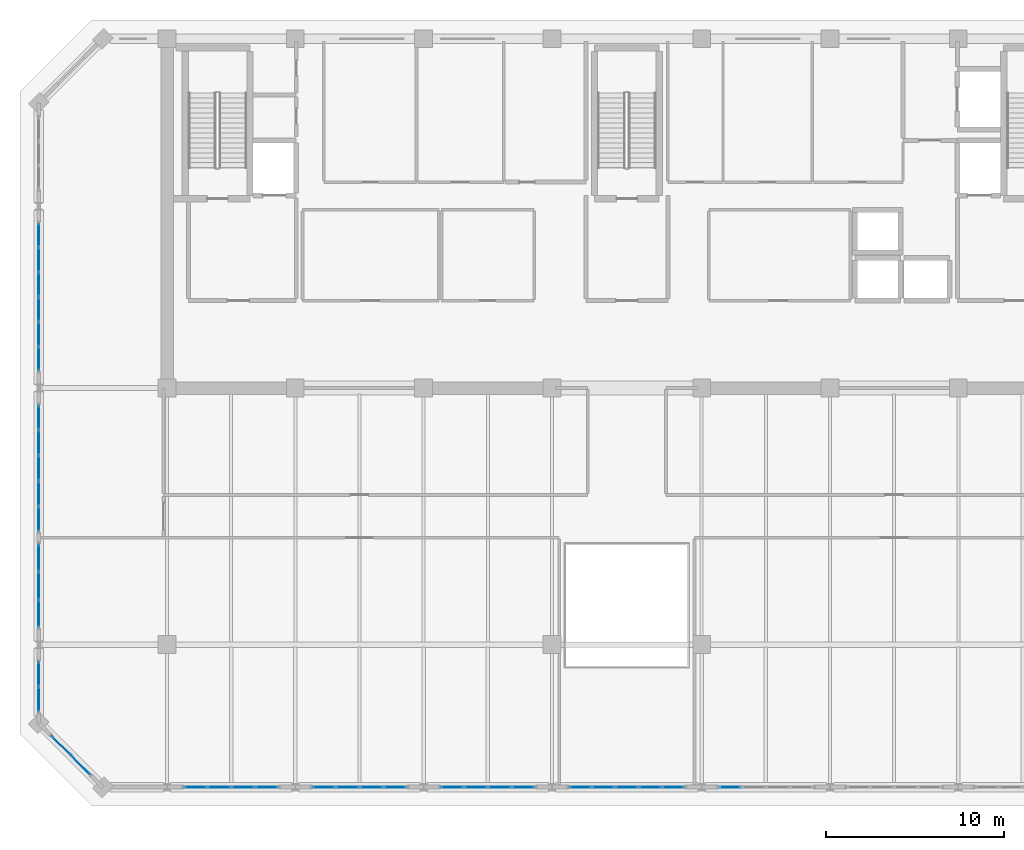
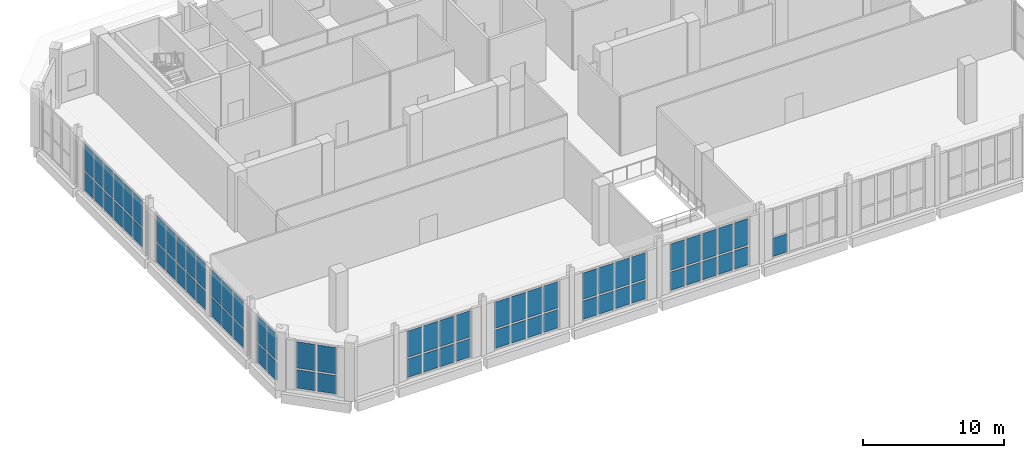
# One storey, part 17 of 26: 71 plates, 10 elements without a shape of their own.
"""IFC4 building model written with IfcOpenShell, lengths in metres."""

from ifc_helpers import new_model, si_unit, direction, frame, origin, origin_2d, place, context, subcontext, project, spatial, rectangle, extrude, material, layer, layer_set, type_object, element, aggregate, save


model = new_model("IFC4")

# Units and contexts
model_context = context("Model", 3, precision=1e-05, world=origin(), true_north=direction((0.0, 1.0)))
body_context = subcontext(model_context, "Body", "Model", "MODEL_VIEW")
ifc_project = project(units=[si_unit("LENGTHUNIT", "METRE"), si_unit("AREAUNIT", "SQUARE_METRE"), si_unit("VOLUMEUNIT", "CUBIC_METRE"), si_unit("PLANEANGLEUNIT", "RADIAN"), si_unit("MASSUNIT", "GRAM", prefix="KILO")], contexts=[model_context])

# Site, building, storey
site_placement = place(None, origin())
site = spatial("IfcSite", under=ifc_project, at=site_placement, CompositionType="ELEMENT")
building_placement = place(site_placement, origin())
building = spatial("IfcBuilding", under=site, at=building_placement, Name="Kaelvorn Grand Hotel", CompositionType="ELEMENT")
storey_placement = place(building_placement, frame((0.0, 0.0, 300.199951171875)))
storey = spatial("IfcBuildingStorey", under=building, at=storey_placement, Name="L73", CompositionType="ELEMENT", Elevation=300.199951171875)

# Curtain wall, plates
ifc_material_1 = material(Name="Anodised Aluminium", Category="aluminium")
ifc_layer_1 = layer(ifc_material_1, 0.239990234375)
ifc_layer_set_1 = layer_set([ifc_layer_1], Name="Anodised Aluminium")
curtain_wall_type = type_object("IfcCurtainWallType", Name="CW-SYS5", PredefinedType="NOTDEFINED", material=ifc_layer_set_1)
curtain_wall_1_placement = place(storey_placement, origin())
curtain_wall_1 = element("IfcCurtainWall", 1, at=curtain_wall_1_placement, inside=storey, type_object=curtain_wall_type, Name="L73 Unitised Curtain Wall CW5 (CW-L73-S-01)", PredefinedType="NOTDEFINED")
ifc_material_2 = material(Name="Laminated Low-E Glass", Category="glass")
ifc_layer_2 = layer(ifc_material_2, 0.0380859375)
ifc_layer_set_2 = layer_set([ifc_layer_2], Name="Laminated Low-E Glass")
plate_type = type_object("IfcPlateType", Name="CW-SYS5-PAN", PredefinedType="CURTAIN_PANEL", material=ifc_layer_set_2)
plate_1_placement = place(storey_placement, frame((17.81005859375, 7.0, 0.150146484375), z_axis=(0.0, 0.0, 1.0), x_axis=(1.0, 0.0, 0.0)))
plate_1 = element("IfcPlate", 2, at=plate_1_placement, type_object=plate_type, Name="CW5 panel 1.1", PredefinedType="CURTAIN_PANEL", context=body_context, shape_type="SweptSolid", body=[
    extrude(rectangle(XDim=1.219970703125, YDim=0.0380859375, at=origin_2d()), origin(), (0.0, 0.0, 1.0), 1.58935546875),
])
plate_2_placement = place(storey_placement, frame((17.81005859375, 7.0, 1.8896484375), z_axis=(0.0, 0.0, 1.0), x_axis=(1.0, 0.0, 0.0)))
plate_2 = element("IfcPlate", 3, at=plate_2_placement, type_object=plate_type, Name="CW5 panel 1.2", PredefinedType="CURTAIN_PANEL", context=body_context, shape_type="SweptSolid", body=[
    extrude(rectangle(XDim=1.219970703125, YDim=0.0380859375, at=origin_2d()), origin(), (0.0, 0.0, 1.0), 2.280517578125),
])
plate_3_placement = place(storey_placement, frame((19.1298828125, 7.0, 0.150146484375), z_axis=(0.0, 0.0, 1.0), x_axis=(1.0, 0.0, 0.0)))
plate_3 = element("IfcPlate", 4, at=plate_3_placement, type_object=plate_type, Name="CW5 panel 2.1", PredefinedType="CURTAIN_PANEL", context=body_context, shape_type="SweptSolid", body=[
    extrude(rectangle(XDim=1.260009765625, YDim=0.0380859375, at=origin_2d()), origin(), (0.0, 0.0, 1.0), 1.58935546875),
])
plate_4_placement = place(storey_placement, frame((19.1298828125, 7.0, 1.8896484375), z_axis=(0.0, 0.0, 1.0), x_axis=(1.0, 0.0, 0.0)))
plate_4 = element("IfcPlate", 5, at=plate_4_placement, type_object=plate_type, Name="CW5 panel 2.2", PredefinedType="CURTAIN_PANEL", context=body_context, shape_type="SweptSolid", body=[
    extrude(rectangle(XDim=1.260009765625, YDim=0.0380859375, at=origin_2d()), origin(), (0.0, 0.0, 1.0), 2.280517578125),
])
plate_5_placement = place(storey_placement, frame((20.469970703125, 7.0, 0.150146484375), z_axis=(0.0, 0.0, 1.0), x_axis=(1.0, 0.0, 0.0)))
plate_5 = element("IfcPlate", 6, at=plate_5_placement, type_object=plate_type, Name="CW5 panel 3.1", PredefinedType="CURTAIN_PANEL", context=body_context, shape_type="SweptSolid", body=[
    extrude(rectangle(XDim=1.260009765625, YDim=0.0380859375, at=origin_2d()), origin(), (0.0, 0.0, 1.0), 1.58935546875),
])
plate_6_placement = place(storey_placement, frame((20.469970703125, 7.0, 1.8896484375), z_axis=(0.0, 0.0, 1.0), x_axis=(1.0, 0.0, 0.0)))
plate_6 = element("IfcPlate", 7, at=plate_6_placement, type_object=plate_type, Name="CW5 panel 3.2", PredefinedType="CURTAIN_PANEL", context=body_context, shape_type="SweptSolid", body=[
    extrude(rectangle(XDim=1.260009765625, YDim=0.0380859375, at=origin_2d()), origin(), (0.0, 0.0, 1.0), 2.280517578125),
])
plate_7_placement = place(storey_placement, frame((21.7900390625, 7.0, 0.150146484375), z_axis=(0.0, 0.0, 1.0), x_axis=(1.0, 0.0, 0.0)))
plate_7 = element("IfcPlate", 8, at=plate_7_placement, type_object=plate_type, Name="CW5 panel 4.1", PredefinedType="CURTAIN_PANEL", context=body_context, shape_type="SweptSolid", body=[
    extrude(rectangle(XDim=1.219970703125, YDim=0.0380859375, at=origin_2d()), origin(), (0.0, 0.0, 1.0), 1.58935546875),
])
plate_8_placement = place(storey_placement, frame((21.7900390625, 7.0, 1.8896484375), z_axis=(0.0, 0.0, 1.0), x_axis=(1.0, 0.0, 0.0)))
plate_8 = element("IfcPlate", 9, at=plate_8_placement, type_object=plate_type, Name="CW5 panel 4.2", PredefinedType="CURTAIN_PANEL", context=body_context, shape_type="SweptSolid", body=[
    extrude(rectangle(XDim=1.219970703125, YDim=0.0380859375, at=origin_2d()), origin(), (0.0, 0.0, 1.0), 2.280517578125),
])
aggregate(curtain_wall_1, [plate_1, plate_2, plate_3, plate_4, plate_5, plate_6, plate_7, plate_8])

curtain_wall_2_placement = place(storey_placement, origin())
curtain_wall_2 = element("IfcCurtainWall", 10, at=curtain_wall_2_placement, inside=storey, type_object=curtain_wall_type, Name="L73 Unitised Curtain Wall CW5 (CW-L73-S-02)", PredefinedType="NOTDEFINED")
plate_9_placement = place(storey_placement, frame((25.010009765625, 7.0, 0.150146484375), z_axis=(0.0, 0.0, 1.0), x_axis=(1.0, 0.0, 0.0)))
plate_9 = element("IfcPlate", 11, at=plate_9_placement, type_object=plate_type, Name="CW5 panel 1.1", PredefinedType="CURTAIN_PANEL", context=body_context, shape_type="SweptSolid", body=[
    extrude(rectangle(XDim=1.219970703125, YDim=0.0380859375, at=origin_2d()), origin(), (0.0, 0.0, 1.0), 1.58935546875),
])
plate_10_placement = place(storey_placement, frame((25.010009765625, 7.0, 1.8896484375), z_axis=(0.0, 0.0, 1.0), x_axis=(1.0, 0.0, 0.0)))
plate_10 = element("IfcPlate", 12, at=plate_10_placement, type_object=plate_type, Name="CW5 panel 1.2", PredefinedType="CURTAIN_PANEL", context=body_context, shape_type="SweptSolid", body=[
    extrude(rectangle(XDim=1.219970703125, YDim=0.0380859375, at=origin_2d()), origin(), (0.0, 0.0, 1.0), 2.280517578125),
])
plate_11_placement = place(storey_placement, frame((26.330078125, 7.0, 0.150146484375), z_axis=(0.0, 0.0, 1.0), x_axis=(1.0, 0.0, 0.0)))
plate_11 = element("IfcPlate", 13, at=plate_11_placement, type_object=plate_type, Name="CW5 panel 2.1", PredefinedType="CURTAIN_PANEL", context=body_context, shape_type="SweptSolid", body=[
    extrude(rectangle(XDim=1.260009765625, YDim=0.0380859375, at=origin_2d()), origin(), (0.0, 0.0, 1.0), 1.58935546875),
])
plate_12_placement = place(storey_placement, frame((26.330078125, 7.0, 1.8896484375), z_axis=(0.0, 0.0, 1.0), x_axis=(1.0, 0.0, 0.0)))
plate_12 = element("IfcPlate", 14, at=plate_12_placement, type_object=plate_type, Name="CW5 panel 2.2", PredefinedType="CURTAIN_PANEL", context=body_context, shape_type="SweptSolid", body=[
    extrude(rectangle(XDim=1.260009765625, YDim=0.0380859375, at=origin_2d()), origin(), (0.0, 0.0, 1.0), 2.280517578125),
])
plate_13_placement = place(storey_placement, frame((27.669921875, 7.0, 0.150146484375), z_axis=(0.0, 0.0, 1.0), x_axis=(1.0, 0.0, 0.0)))
plate_13 = element("IfcPlate", 15, at=plate_13_placement, type_object=plate_type, Name="CW5 panel 3.1", PredefinedType="CURTAIN_PANEL", context=body_context, shape_type="SweptSolid", body=[
    extrude(rectangle(XDim=1.260009765625, YDim=0.0380859375, at=origin_2d()), origin(), (0.0, 0.0, 1.0), 1.58935546875),
])
plate_14_placement = place(storey_placement, frame((27.669921875, 7.0, 1.8896484375), z_axis=(0.0, 0.0, 1.0), x_axis=(1.0, 0.0, 0.0)))
plate_14 = element("IfcPlate", 16, at=plate_14_placement, type_object=plate_type, Name="CW5 panel 3.2", PredefinedType="CURTAIN_PANEL", context=body_context, shape_type="SweptSolid", body=[
    extrude(rectangle(XDim=1.260009765625, YDim=0.0380859375, at=origin_2d()), origin(), (0.0, 0.0, 1.0), 2.280517578125),
])
plate_15_placement = place(storey_placement, frame((28.989990234375, 7.0, 0.150146484375), z_axis=(0.0, 0.0, 1.0), x_axis=(1.0, 0.0, 0.0)))
plate_15 = element("IfcPlate", 17, at=plate_15_placement, type_object=plate_type, Name="CW5 panel 4.1", PredefinedType="CURTAIN_PANEL", context=body_context, shape_type="SweptSolid", body=[
    extrude(rectangle(XDim=1.219970703125, YDim=0.0380859375, at=origin_2d()), origin(), (0.0, 0.0, 1.0), 1.58935546875),
])
plate_16_placement = place(storey_placement, frame((28.989990234375, 7.0, 1.8896484375), z_axis=(0.0, 0.0, 1.0), x_axis=(1.0, 0.0, 0.0)))
plate_16 = element("IfcPlate", 18, at=plate_16_placement, type_object=plate_type, Name="CW5 panel 4.2", PredefinedType="CURTAIN_PANEL", context=body_context, shape_type="SweptSolid", body=[
    extrude(rectangle(XDim=1.219970703125, YDim=0.0380859375, at=origin_2d()), origin(), (0.0, 0.0, 1.0), 2.280517578125),
])
aggregate(curtain_wall_2, [plate_9, plate_10, plate_11, plate_12, plate_13, plate_14, plate_15, plate_16])

curtain_wall_3_placement = place(storey_placement, origin())
curtain_wall_3 = element("IfcCurtainWall", 19, at=curtain_wall_3_placement, inside=storey, type_object=curtain_wall_type, Name="L73 Unitised Curtain Wall CW5 (CW-L73-S-03)", PredefinedType="NOTDEFINED")
plate_17_placement = place(storey_placement, frame((32.2099609375, 7.0, 0.150146484375), z_axis=(0.0, 0.0, 1.0), x_axis=(1.0, 0.0, 0.0)))
plate_17 = element("IfcPlate", 20, at=plate_17_placement, type_object=plate_type, Name="CW5 panel 1.1", PredefinedType="CURTAIN_PANEL", context=body_context, shape_type="SweptSolid", body=[
    extrude(rectangle(XDim=1.219970703125, YDim=0.0380859375, at=origin_2d()), origin(), (0.0, 0.0, 1.0), 1.58935546875),
])
plate_18_placement = place(storey_placement, frame((32.2099609375, 7.0, 1.8896484375), z_axis=(0.0, 0.0, 1.0), x_axis=(1.0, 0.0, 0.0)))
plate_18 = element("IfcPlate", 21, at=plate_18_placement, type_object=plate_type, Name="CW5 panel 1.2", PredefinedType="CURTAIN_PANEL", context=body_context, shape_type="SweptSolid", body=[
    extrude(rectangle(XDim=1.219970703125, YDim=0.0380859375, at=origin_2d()), origin(), (0.0, 0.0, 1.0), 2.280517578125),
])
plate_19_placement = place(storey_placement, frame((33.530029296875, 7.0, 0.150146484375), z_axis=(0.0, 0.0, 1.0), x_axis=(1.0, 0.0, 0.0)))
plate_19 = element("IfcPlate", 22, at=plate_19_placement, type_object=plate_type, Name="CW5 panel 2.1", PredefinedType="CURTAIN_PANEL", context=body_context, shape_type="SweptSolid", body=[
    extrude(rectangle(XDim=1.260009765625, YDim=0.0380859375, at=origin_2d()), origin(), (0.0, 0.0, 1.0), 1.58935546875),
])
plate_20_placement = place(storey_placement, frame((33.530029296875, 7.0, 1.8896484375), z_axis=(0.0, 0.0, 1.0), x_axis=(1.0, 0.0, 0.0)))
plate_20 = element("IfcPlate", 23, at=plate_20_placement, type_object=plate_type, Name="CW5 panel 2.2", PredefinedType="CURTAIN_PANEL", context=body_context, shape_type="SweptSolid", body=[
    extrude(rectangle(XDim=1.260009765625, YDim=0.0380859375, at=origin_2d()), origin(), (0.0, 0.0, 1.0), 2.280517578125),
])
plate_21_placement = place(storey_placement, frame((34.8701171875, 7.0, 0.150146484375), z_axis=(0.0, 0.0, 1.0), x_axis=(1.0, 0.0, 0.0)))
plate_21 = element("IfcPlate", 24, at=plate_21_placement, type_object=plate_type, Name="CW5 panel 3.1", PredefinedType="CURTAIN_PANEL", context=body_context, shape_type="SweptSolid", body=[
    extrude(rectangle(XDim=1.260009765625, YDim=0.0380859375, at=origin_2d()), origin(), (0.0, 0.0, 1.0), 1.58935546875),
])
plate_22_placement = place(storey_placement, frame((34.8701171875, 7.0, 1.8896484375), z_axis=(0.0, 0.0, 1.0), x_axis=(1.0, 0.0, 0.0)))
plate_22 = element("IfcPlate", 25, at=plate_22_placement, type_object=plate_type, Name="CW5 panel 3.2", PredefinedType="CURTAIN_PANEL", context=body_context, shape_type="SweptSolid", body=[
    extrude(rectangle(XDim=1.260009765625, YDim=0.0380859375, at=origin_2d()), origin(), (0.0, 0.0, 1.0), 2.280517578125),
])
plate_23_placement = place(storey_placement, frame((36.18994140625, 7.0, 0.150146484375), z_axis=(0.0, 0.0, 1.0), x_axis=(1.0, 0.0, 0.0)))
plate_23 = element("IfcPlate", 26, at=plate_23_placement, type_object=plate_type, Name="CW5 panel 4.1", PredefinedType="CURTAIN_PANEL", context=body_context, shape_type="SweptSolid", body=[
    extrude(rectangle(XDim=1.219970703125, YDim=0.0380859375, at=origin_2d()), origin(), (0.0, 0.0, 1.0), 1.58935546875),
])
plate_24_placement = place(storey_placement, frame((36.18994140625, 7.0, 1.8896484375), z_axis=(0.0, 0.0, 1.0), x_axis=(1.0, 0.0, 0.0)))
plate_24 = element("IfcPlate", 27, at=plate_24_placement, type_object=plate_type, Name="CW5 panel 4.2", PredefinedType="CURTAIN_PANEL", context=body_context, shape_type="SweptSolid", body=[
    extrude(rectangle(XDim=1.219970703125, YDim=0.0380859375, at=origin_2d()), origin(), (0.0, 0.0, 1.0), 2.280517578125),
])
aggregate(curtain_wall_3, [plate_17, plate_18, plate_19, plate_20, plate_21, plate_22, plate_23, plate_24])

curtain_wall_4_placement = place(storey_placement, origin())
curtain_wall_4 = element("IfcCurtainWall", 28, at=curtain_wall_4_placement, inside=storey, type_object=curtain_wall_type, Name="L73 Unitised Curtain Wall CW5 (CW-L73-S-04)", PredefinedType="NOTDEFINED")
plate_25_placement = place(storey_placement, frame((39.39599609375, 7.0, 0.150146484375), z_axis=(0.0, 0.0, 1.0), x_axis=(1.0, 0.0, 0.0)))
plate_25 = element("IfcPlate", 29, at=plate_25_placement, type_object=plate_type, Name="CW5 panel 1.1", PredefinedType="CURTAIN_PANEL", context=body_context, shape_type="SweptSolid", body=[
    extrude(rectangle(XDim=1.19189453125, YDim=0.0380859375, at=origin_2d()), origin(), (0.0, 0.0, 1.0), 1.58935546875),
])
plate_26_placement = place(storey_placement, frame((39.39599609375, 7.0, 1.8896484375), z_axis=(0.0, 0.0, 1.0), x_axis=(1.0, 0.0, 0.0)))
plate_26 = element("IfcPlate", 30, at=plate_26_placement, type_object=plate_type, Name="CW5 panel 1.2", PredefinedType="CURTAIN_PANEL", context=body_context, shape_type="SweptSolid", body=[
    extrude(rectangle(XDim=1.19189453125, YDim=0.0380859375, at=origin_2d()), origin(), (0.0, 0.0, 1.0), 2.280517578125),
])
plate_27_placement = place(storey_placement, frame((40.68798828125, 7.0, 0.150146484375), z_axis=(0.0, 0.0, 1.0), x_axis=(1.0, 0.0, 0.0)))
plate_27 = element("IfcPlate", 31, at=plate_27_placement, type_object=plate_type, Name="CW5 panel 2.1", PredefinedType="CURTAIN_PANEL", context=body_context, shape_type="SweptSolid", body=[
    extrude(rectangle(XDim=1.23193359375, YDim=0.0380859375, at=origin_2d()), origin(), (0.0, 0.0, 1.0), 1.58935546875),
])
plate_28_placement = place(storey_placement, frame((40.68798828125, 7.0, 1.8896484375), z_axis=(0.0, 0.0, 1.0), x_axis=(1.0, 0.0, 0.0)))
plate_28 = element("IfcPlate", 32, at=plate_28_placement, type_object=plate_type, Name="CW5 panel 2.2", PredefinedType="CURTAIN_PANEL", context=body_context, shape_type="SweptSolid", body=[
    extrude(rectangle(XDim=1.23193359375, YDim=0.0380859375, at=origin_2d()), origin(), (0.0, 0.0, 1.0), 2.280517578125),
])
plate_29_placement = place(storey_placement, frame((42.0, 7.0, 0.150146484375), z_axis=(0.0, 0.0, 1.0), x_axis=(1.0, 0.0, 0.0)))
plate_29 = element("IfcPlate", 33, at=plate_29_placement, type_object=plate_type, Name="CW5 panel 3.1", PredefinedType="CURTAIN_PANEL", context=body_context, shape_type="SweptSolid", body=[
    extrude(rectangle(XDim=1.23193359375, YDim=0.0380859375, at=origin_2d()), origin(), (0.0, 0.0, 1.0), 1.58935546875),
])
plate_30_placement = place(storey_placement, frame((42.0, 7.0, 1.8896484375), z_axis=(0.0, 0.0, 1.0), x_axis=(1.0, 0.0, 0.0)))
plate_30 = element("IfcPlate", 34, at=plate_30_placement, type_object=plate_type, Name="CW5 panel 3.2", PredefinedType="CURTAIN_PANEL", context=body_context, shape_type="SweptSolid", body=[
    extrude(rectangle(XDim=1.23193359375, YDim=0.0380859375, at=origin_2d()), origin(), (0.0, 0.0, 1.0), 2.280517578125),
])
plate_31_placement = place(storey_placement, frame((43.31201171875, 7.0, 0.150146484375), z_axis=(0.0, 0.0, 1.0), x_axis=(1.0, 0.0, 0.0)))
plate_31 = element("IfcPlate", 35, at=plate_31_placement, type_object=plate_type, Name="CW5 panel 4.1", PredefinedType="CURTAIN_PANEL", context=body_context, shape_type="SweptSolid", body=[
    extrude(rectangle(XDim=1.23193359375, YDim=0.0380859375, at=origin_2d()), origin(), (0.0, 0.0, 1.0), 1.58935546875),
])
plate_32_placement = place(storey_placement, frame((43.31201171875, 7.0, 1.8896484375), z_axis=(0.0, 0.0, 1.0), x_axis=(1.0, 0.0, 0.0)))
plate_32 = element("IfcPlate", 36, at=plate_32_placement, type_object=plate_type, Name="CW5 panel 4.2", PredefinedType="CURTAIN_PANEL", context=body_context, shape_type="SweptSolid", body=[
    extrude(rectangle(XDim=1.23193359375, YDim=0.0380859375, at=origin_2d()), origin(), (0.0, 0.0, 1.0), 2.280517578125),
])
plate_33_placement = place(storey_placement, frame((44.60400390625, 7.0, 0.150146484375), z_axis=(0.0, 0.0, 1.0), x_axis=(1.0, 0.0, 0.0)))
plate_33 = element("IfcPlate", 37, at=plate_33_placement, type_object=plate_type, Name="CW5 panel 5.1", PredefinedType="CURTAIN_PANEL", context=body_context, shape_type="SweptSolid", body=[
    extrude(rectangle(XDim=1.19189453125, YDim=0.0380859375, at=origin_2d()), origin(), (0.0, 0.0, 1.0), 1.58935546875),
])
plate_34_placement = place(storey_placement, frame((44.60400390625, 7.0, 1.8896484375), z_axis=(0.0, 0.0, 1.0), x_axis=(1.0, 0.0, 0.0)))
plate_34 = element("IfcPlate", 38, at=plate_34_placement, type_object=plate_type, Name="CW5 panel 5.2", PredefinedType="CURTAIN_PANEL", context=body_context, shape_type="SweptSolid", body=[
    extrude(rectangle(XDim=1.19189453125, YDim=0.0380859375, at=origin_2d()), origin(), (0.0, 0.0, 1.0), 2.280517578125),
])
aggregate(curtain_wall_4, [plate_25, plate_26, plate_27, plate_28, plate_29, plate_30, plate_31, plate_32, plate_33, plate_34])

# Curtain wall, plate
curtain_wall_5_placement = place(storey_placement, origin())
curtain_wall_5 = element("IfcCurtainWall", 39, at=curtain_wall_5_placement, inside=storey, type_object=curtain_wall_type, Name="L73 Unitised Curtain Wall CW5 (CW-L73-S-05)", PredefinedType="NOTDEFINED")
plate_35_placement = place(storey_placement, frame((47.81005859375, 7.0, 0.150146484375), z_axis=(0.0, 0.0, 1.0), x_axis=(1.0, 0.0, 0.0)))
plate_35 = element("IfcPlate", 40, at=plate_35_placement, type_object=plate_type, Name="CW5 panel 1.1", PredefinedType="CURTAIN_PANEL", context=body_context, shape_type="SweptSolid", body=[
    extrude(rectangle(XDim=1.219970703125, YDim=0.0380859375, at=origin_2d()), origin(), (0.0, 0.0, 1.0), 1.58935546875),
])
aggregate(curtain_wall_5, [plate_35])

# Curtain wall, plates
curtain_wall_6_placement = place(storey_placement, origin())
curtain_wall_6 = element("IfcCurtainWall", 41, at=curtain_wall_6_placement, inside=storey, type_object=curtain_wall_type, Name="L73 Unitised Curtain Wall CW5 (CW-L73-W-04)", PredefinedType="NOTDEFINED")
plate_36_placement = place(storey_placement, frame((9.0, 37.96337890625, 0.150146484375), z_axis=(0.0, 0.0, 1.0), x_axis=(0.0, -1.0, 0.0)))
plate_36 = element("IfcPlate", 42, at=plate_36_placement, type_object=plate_type, Name="CW5 panel 1.1", PredefinedType="CURTAIN_PANEL", context=body_context, shape_type="SweptSolid", body=[
    extrude(rectangle(XDim=1.2734375, YDim=0.0380859375, at=origin_2d()), origin(), (0.0, 0.0, 1.0), 1.58935546875),
])
plate_37_placement = place(storey_placement, frame((9.0, 37.96337890625, 1.8896484375), z_axis=(0.0, 0.0, 1.0), x_axis=(0.0, -1.0, 0.0)))
plate_37 = element("IfcPlate", 43, at=plate_37_placement, type_object=plate_type, Name="CW5 panel 1.2", PredefinedType="CURTAIN_PANEL", context=body_context, shape_type="SweptSolid", body=[
    extrude(rectangle(XDim=1.2734375, YDim=0.0380859375, at=origin_2d()), origin(), (0.0, 0.0, 1.0), 2.280517578125),
])
plate_38_placement = place(storey_placement, frame((9.0, 36.590087890625, 0.150146484375), z_axis=(0.0, 0.0, 1.0), x_axis=(0.0, -1.0, 0.0)))
plate_38 = element("IfcPlate", 44, at=plate_38_placement, type_object=plate_type, Name="CW5 panel 2.1", PredefinedType="CURTAIN_PANEL", context=body_context, shape_type="SweptSolid", body=[
    extrude(rectangle(XDim=1.313232421875, YDim=0.0380859375, at=origin_2d()), origin(), (0.0, 0.0, 1.0), 1.58935546875),
])
plate_39_placement = place(storey_placement, frame((9.0, 36.590087890625, 1.8896484375), z_axis=(0.0, 0.0, 1.0), x_axis=(0.0, -1.0, 0.0)))
plate_39 = element("IfcPlate", 45, at=plate_39_placement, type_object=plate_type, Name="CW5 panel 2.2", PredefinedType="CURTAIN_PANEL", context=body_context, shape_type="SweptSolid", body=[
    extrude(rectangle(XDim=1.313232421875, YDim=0.0380859375, at=origin_2d()), origin(), (0.0, 0.0, 1.0), 2.280517578125),
])
plate_40_placement = place(storey_placement, frame((9.0, 35.19677734375, 0.150146484375), z_axis=(0.0, 0.0, 1.0), x_axis=(0.0, -1.0, 0.0)))
plate_40 = element("IfcPlate", 46, at=plate_40_placement, type_object=plate_type, Name="CW5 panel 3.1", PredefinedType="CURTAIN_PANEL", context=body_context, shape_type="SweptSolid", body=[
    extrude(rectangle(XDim=1.313232421875, YDim=0.0380859375, at=origin_2d()), origin(), (0.0, 0.0, 1.0), 1.58935546875),
])
plate_41_placement = place(storey_placement, frame((9.0, 35.19677734375, 1.8896484375), z_axis=(0.0, 0.0, 1.0), x_axis=(0.0, -1.0, 0.0)))
plate_41 = element("IfcPlate", 47, at=plate_41_placement, type_object=plate_type, Name="CW5 panel 3.2", PredefinedType="CURTAIN_PANEL", context=body_context, shape_type="SweptSolid", body=[
    extrude(rectangle(XDim=1.313232421875, YDim=0.0380859375, at=origin_2d()), origin(), (0.0, 0.0, 1.0), 2.280517578125),
])
plate_42_placement = place(storey_placement, frame((9.0, 33.80322265625, 0.150146484375), z_axis=(0.0, 0.0, 1.0), x_axis=(0.0, -1.0, 0.0)))
plate_42 = element("IfcPlate", 48, at=plate_42_placement, type_object=plate_type, Name="CW5 panel 4.1", PredefinedType="CURTAIN_PANEL", context=body_context, shape_type="SweptSolid", body=[
    extrude(rectangle(XDim=1.313232421875, YDim=0.0380859375, at=origin_2d()), origin(), (0.0, 0.0, 1.0), 1.58935546875),
])
plate_43_placement = place(storey_placement, frame((9.0, 33.80322265625, 1.8896484375), z_axis=(0.0, 0.0, 1.0), x_axis=(0.0, -1.0, 0.0)))
plate_43 = element("IfcPlate", 49, at=plate_43_placement, type_object=plate_type, Name="CW5 panel 4.2", PredefinedType="CURTAIN_PANEL", context=body_context, shape_type="SweptSolid", body=[
    extrude(rectangle(XDim=1.313232421875, YDim=0.0380859375, at=origin_2d()), origin(), (0.0, 0.0, 1.0), 2.280517578125),
])
plate_44_placement = place(storey_placement, frame((9.0, 32.409912109375, 0.150146484375), z_axis=(0.0, 0.0, 1.0), x_axis=(0.0, -1.0, 0.0)))
plate_44 = element("IfcPlate", 50, at=plate_44_placement, type_object=plate_type, Name="CW5 panel 5.1", PredefinedType="CURTAIN_PANEL", context=body_context, shape_type="SweptSolid", body=[
    extrude(rectangle(XDim=1.313232421875, YDim=0.0380859375, at=origin_2d()), origin(), (0.0, 0.0, 1.0), 1.58935546875),
])
plate_45_placement = place(storey_placement, frame((9.0, 32.409912109375, 1.8896484375), z_axis=(0.0, 0.0, 1.0), x_axis=(0.0, -1.0, 0.0)))
plate_45 = element("IfcPlate", 51, at=plate_45_placement, type_object=plate_type, Name="CW5 panel 5.2", PredefinedType="CURTAIN_PANEL", context=body_context, shape_type="SweptSolid", body=[
    extrude(rectangle(XDim=1.313232421875, YDim=0.0380859375, at=origin_2d()), origin(), (0.0, 0.0, 1.0), 2.280517578125),
])
plate_46_placement = place(storey_placement, frame((9.0, 31.03662109375, 0.150146484375), z_axis=(0.0, 0.0, 1.0), x_axis=(0.0, -1.0, 0.0)))
plate_46 = element("IfcPlate", 52, at=plate_46_placement, type_object=plate_type, Name="CW5 panel 6.1", PredefinedType="CURTAIN_PANEL", context=body_context, shape_type="SweptSolid", body=[
    extrude(rectangle(XDim=1.2734375, YDim=0.0380859375, at=origin_2d()), origin(), (0.0, 0.0, 1.0), 1.58935546875),
])
plate_47_placement = place(storey_placement, frame((9.0, 31.03662109375, 1.8896484375), z_axis=(0.0, 0.0, 1.0), x_axis=(0.0, -1.0, 0.0)))
plate_47 = element("IfcPlate", 53, at=plate_47_placement, type_object=plate_type, Name="CW5 panel 6.2", PredefinedType="CURTAIN_PANEL", context=body_context, shape_type="SweptSolid", body=[
    extrude(rectangle(XDim=1.2734375, YDim=0.0380859375, at=origin_2d()), origin(), (0.0, 0.0, 1.0), 2.280517578125),
])
aggregate(curtain_wall_6, [plate_36, plate_37, plate_38, plate_39, plate_40, plate_41, plate_42, plate_43, plate_44, plate_45, plate_46, plate_47])

curtain_wall_7_placement = place(storey_placement, origin())
curtain_wall_7 = element("IfcCurtainWall", 54, at=curtain_wall_7_placement, inside=storey, type_object=curtain_wall_type, Name="L73 Unitised Curtain Wall CW5 (CW-L73-W-03)", PredefinedType="NOTDEFINED")
plate_48_placement = place(storey_placement, frame((9.0, 27.743896484375, 0.150146484375), z_axis=(0.0, 0.0, 1.0), x_axis=(0.0, -1.0, 0.0)))
plate_48 = element("IfcPlate", 55, at=plate_48_placement, type_object=plate_type, Name="CW5 panel 1.1", PredefinedType="CURTAIN_PANEL", context=body_context, shape_type="SweptSolid", body=[
    extrude(rectangle(XDim=1.31201171875, YDim=0.0380859375, at=origin_2d()), origin(), (0.0, 0.0, 1.0), 1.58935546875),
])
plate_49_placement = place(storey_placement, frame((9.0, 27.743896484375, 1.8896484375), z_axis=(0.0, 0.0, 1.0), x_axis=(0.0, -1.0, 0.0)))
plate_49 = element("IfcPlate", 56, at=plate_49_placement, type_object=plate_type, Name="CW5 panel 1.2", PredefinedType="CURTAIN_PANEL", context=body_context, shape_type="SweptSolid", body=[
    extrude(rectangle(XDim=1.31201171875, YDim=0.0380859375, at=origin_2d()), origin(), (0.0, 0.0, 1.0), 2.280517578125),
])
plate_50_placement = place(storey_placement, frame((9.0, 26.33203125, 0.150146484375), z_axis=(0.0, 0.0, 1.0), x_axis=(0.0, -1.0, 0.0)))
plate_50 = element("IfcPlate", 57, at=plate_50_placement, type_object=plate_type, Name="CW5 panel 2.1", PredefinedType="CURTAIN_PANEL", context=body_context, shape_type="SweptSolid", body=[
    extrude(rectangle(XDim=1.35205078125, YDim=0.0380859375, at=origin_2d()), origin(), (0.0, 0.0, 1.0), 1.58935546875),
])
plate_51_placement = place(storey_placement, frame((9.0, 26.33203125, 1.8896484375), z_axis=(0.0, 0.0, 1.0), x_axis=(0.0, -1.0, 0.0)))
plate_51 = element("IfcPlate", 58, at=plate_51_placement, type_object=plate_type, Name="CW5 panel 2.2", PredefinedType="CURTAIN_PANEL", context=body_context, shape_type="SweptSolid", body=[
    extrude(rectangle(XDim=1.35205078125, YDim=0.0380859375, at=origin_2d()), origin(), (0.0, 0.0, 1.0), 2.280517578125),
])
plate_52_placement = place(storey_placement, frame((9.0, 24.89990234375, 0.150146484375), z_axis=(0.0, 0.0, 1.0), x_axis=(0.0, -1.0, 0.0)))
plate_52 = element("IfcPlate", 59, at=plate_52_placement, type_object=plate_type, Name="CW5 panel 3.1", PredefinedType="CURTAIN_PANEL", context=body_context, shape_type="SweptSolid", body=[
    extrude(rectangle(XDim=1.35205078125, YDim=0.0380859375, at=origin_2d()), origin(), (0.0, 0.0, 1.0), 1.58935546875),
])
plate_53_placement = place(storey_placement, frame((9.0, 24.89990234375, 1.8896484375), z_axis=(0.0, 0.0, 1.0), x_axis=(0.0, -1.0, 0.0)))
plate_53 = element("IfcPlate", 60, at=plate_53_placement, type_object=plate_type, Name="CW5 panel 3.2", PredefinedType="CURTAIN_PANEL", context=body_context, shape_type="SweptSolid", body=[
    extrude(rectangle(XDim=1.35205078125, YDim=0.0380859375, at=origin_2d()), origin(), (0.0, 0.0, 1.0), 2.280517578125),
])
plate_54_placement = place(storey_placement, frame((9.0, 23.468017578125, 0.150146484375), z_axis=(0.0, 0.0, 1.0), x_axis=(0.0, -1.0, 0.0)))
plate_54 = element("IfcPlate", 61, at=plate_54_placement, type_object=plate_type, Name="CW5 panel 4.1", PredefinedType="CURTAIN_PANEL", context=body_context, shape_type="SweptSolid", body=[
    extrude(rectangle(XDim=1.35205078125, YDim=0.0380859375, at=origin_2d()), origin(), (0.0, 0.0, 1.0), 1.58935546875),
])
plate_55_placement = place(storey_placement, frame((9.0, 23.468017578125, 1.8896484375), z_axis=(0.0, 0.0, 1.0), x_axis=(0.0, -1.0, 0.0)))
plate_55 = element("IfcPlate", 62, at=plate_55_placement, type_object=plate_type, Name="CW5 panel 4.2", PredefinedType="CURTAIN_PANEL", context=body_context, shape_type="SweptSolid", body=[
    extrude(rectangle(XDim=1.35205078125, YDim=0.0380859375, at=origin_2d()), origin(), (0.0, 0.0, 1.0), 2.280517578125),
])
plate_56_placement = place(storey_placement, frame((9.0, 22.055908203125, 0.150146484375), z_axis=(0.0, 0.0, 1.0), x_axis=(0.0, -1.0, 0.0)))
plate_56 = element("IfcPlate", 63, at=plate_56_placement, type_object=plate_type, Name="CW5 panel 5.1", PredefinedType="CURTAIN_PANEL", context=body_context, shape_type="SweptSolid", body=[
    extrude(rectangle(XDim=1.31201171875, YDim=0.0380859375, at=origin_2d()), origin(), (0.0, 0.0, 1.0), 1.58935546875),
])
plate_57_placement = place(storey_placement, frame((9.0, 22.055908203125, 1.8896484375), z_axis=(0.0, 0.0, 1.0), x_axis=(0.0, -1.0, 0.0)))
plate_57 = element("IfcPlate", 64, at=plate_57_placement, type_object=plate_type, Name="CW5 panel 5.2", PredefinedType="CURTAIN_PANEL", context=body_context, shape_type="SweptSolid", body=[
    extrude(rectangle(XDim=1.31201171875, YDim=0.0380859375, at=origin_2d()), origin(), (0.0, 0.0, 1.0), 2.280517578125),
])
aggregate(curtain_wall_7, [plate_48, plate_49, plate_50, plate_51, plate_52, plate_53, plate_54, plate_55, plate_56, plate_57])

curtain_wall_8_placement = place(storey_placement, origin())
curtain_wall_8 = element("IfcCurtainWall", 65, at=curtain_wall_8_placement, inside=storey, type_object=curtain_wall_type, Name="L73 Unitised Curtain Wall CW5 (CW-L73-W-02)", PredefinedType="NOTDEFINED")
plate_58_placement = place(storey_placement, frame((9.0, 19.86669921875, 0.150146484375), z_axis=(0.0, 0.0, 1.0), x_axis=(0.0, -1.0, 0.0)))
plate_58 = element("IfcPlate", 66, at=plate_58_placement, type_object=plate_type, Name="CW5 panel 1.1", PredefinedType="CURTAIN_PANEL", context=body_context, shape_type="SweptSolid", body=[
    extrude(rectangle(XDim=1.466552734375, YDim=0.0380859375, at=origin_2d()), origin(), (0.0, 0.0, 1.0), 1.58935546875),
])
plate_59_placement = place(storey_placement, frame((9.0, 19.86669921875, 1.8896484375), z_axis=(0.0, 0.0, 1.0), x_axis=(0.0, -1.0, 0.0)))
plate_59 = element("IfcPlate", 67, at=plate_59_placement, type_object=plate_type, Name="CW5 panel 1.2", PredefinedType="CURTAIN_PANEL", context=body_context, shape_type="SweptSolid", body=[
    extrude(rectangle(XDim=1.466552734375, YDim=0.0380859375, at=origin_2d()), origin(), (0.0, 0.0, 1.0), 2.280517578125),
])
plate_60_placement = place(storey_placement, frame((9.0, 18.300048828125, 0.150146484375), z_axis=(0.0, 0.0, 1.0), x_axis=(0.0, -1.0, 0.0)))
plate_60 = element("IfcPlate", 68, at=plate_60_placement, type_object=plate_type, Name="CW5 panel 2.1", PredefinedType="CURTAIN_PANEL", context=body_context, shape_type="SweptSolid", body=[
    extrude(rectangle(XDim=1.506591796875, YDim=0.0380859375, at=origin_2d()), origin(), (0.0, 0.0, 1.0), 1.58935546875),
])
plate_61_placement = place(storey_placement, frame((9.0, 18.300048828125, 1.8896484375), z_axis=(0.0, 0.0, 1.0), x_axis=(0.0, -1.0, 0.0)))
plate_61 = element("IfcPlate", 69, at=plate_61_placement, type_object=plate_type, Name="CW5 panel 2.2", PredefinedType="CURTAIN_PANEL", context=body_context, shape_type="SweptSolid", body=[
    extrude(rectangle(XDim=1.506591796875, YDim=0.0380859375, at=origin_2d()), origin(), (0.0, 0.0, 1.0), 2.280517578125),
])
plate_62_placement = place(storey_placement, frame((9.0, 16.7333984375, 0.150146484375), z_axis=(0.0, 0.0, 1.0), x_axis=(0.0, -1.0, 0.0)))
plate_62 = element("IfcPlate", 70, at=plate_62_placement, type_object=plate_type, Name="CW5 panel 3.1", PredefinedType="CURTAIN_PANEL", context=body_context, shape_type="SweptSolid", body=[
    extrude(rectangle(XDim=1.466552734375, YDim=0.0380859375, at=origin_2d()), origin(), (0.0, 0.0, 1.0), 1.58935546875),
])
plate_63_placement = place(storey_placement, frame((9.0, 16.7333984375, 1.8896484375), z_axis=(0.0, 0.0, 1.0), x_axis=(0.0, -1.0, 0.0)))
plate_63 = element("IfcPlate", 71, at=plate_63_placement, type_object=plate_type, Name="CW5 panel 3.2", PredefinedType="CURTAIN_PANEL", context=body_context, shape_type="SweptSolid", body=[
    extrude(rectangle(XDim=1.466552734375, YDim=0.0380859375, at=origin_2d()), origin(), (0.0, 0.0, 1.0), 2.280517578125),
])
aggregate(curtain_wall_8, [plate_58, plate_59, plate_60, plate_61, plate_62, plate_63])

curtain_wall_9_placement = place(storey_placement, origin())
curtain_wall_9 = element("IfcCurtainWall", 72, at=curtain_wall_9_placement, inside=storey, type_object=curtain_wall_type, Name="L73 Unitised Curtain Wall CW5 (CW-L73-W-01)", PredefinedType="NOTDEFINED")
plate_64_placement = place(storey_placement, frame((9.0, 13.340087890625, 0.150146484375), z_axis=(0.0, 0.0, 1.0), x_axis=(0.0, -1.0, 0.0)))
plate_64 = element("IfcPlate", 73, at=plate_64_placement, type_object=plate_type, Name="CW5 panel 1.1", PredefinedType="CURTAIN_PANEL", context=body_context, shape_type="SweptSolid", body=[
    extrude(rectangle(XDim=1.320068359375, YDim=0.0380859375, at=origin_2d()), origin(), (0.0, 0.0, 1.0), 1.58935546875),
])
plate_65_placement = place(storey_placement, frame((9.0, 13.340087890625, 1.8896484375), z_axis=(0.0, 0.0, 1.0), x_axis=(0.0, -1.0, 0.0)))
plate_65 = element("IfcPlate", 74, at=plate_65_placement, type_object=plate_type, Name="CW5 panel 1.2", PredefinedType="CURTAIN_PANEL", context=body_context, shape_type="SweptSolid", body=[
    extrude(rectangle(XDim=1.320068359375, YDim=0.0380859375, at=origin_2d()), origin(), (0.0, 0.0, 1.0), 2.280517578125),
])
plate_66_placement = place(storey_placement, frame((9.0, 11.93994140625, 0.150146484375), z_axis=(0.0, 0.0, 1.0), x_axis=(0.0, -1.0, 0.0)))
plate_66 = element("IfcPlate", 75, at=plate_66_placement, type_object=plate_type, Name="CW5 panel 2.1", PredefinedType="CURTAIN_PANEL", context=body_context, shape_type="SweptSolid", body=[
    extrude(rectangle(XDim=1.320068359375, YDim=0.0380859375, at=origin_2d()), origin(), (0.0, 0.0, 1.0), 1.58935546875),
])
plate_67_placement = place(storey_placement, frame((9.0, 11.93994140625, 1.8896484375), z_axis=(0.0, 0.0, 1.0), x_axis=(0.0, -1.0, 0.0)))
plate_67 = element("IfcPlate", 76, at=plate_67_placement, type_object=plate_type, Name="CW5 panel 2.2", PredefinedType="CURTAIN_PANEL", context=body_context, shape_type="SweptSolid", body=[
    extrude(rectangle(XDim=1.320068359375, YDim=0.0380859375, at=origin_2d()), origin(), (0.0, 0.0, 1.0), 2.280517578125),
])
aggregate(curtain_wall_9, [plate_64, plate_65, plate_66, plate_67])

curtain_wall_10_placement = place(storey_placement, origin())
curtain_wall_10 = element("IfcCurtainWall", 77, at=curtain_wall_10_placement, inside=storey, type_object=curtain_wall_type, Name="L73 Unitised Curtain Wall CW5 (CW-L73-SW)", PredefinedType="NOTDEFINED")
plate_68_placement = place(storey_placement, frame((10.2607421875, 9.33935546875, 0.150146484375), z_axis=(0.0, 0.0, 1.0), x_axis=(0.707106781187, -0.707106781187, 0.0)))
plate_68 = element("IfcPlate", 78, at=plate_68_placement, type_object=plate_type, Name="CW5 panel 1.1", PredefinedType="CURTAIN_PANEL", context=body_context, shape_type="SweptSolid", body=[
    extrude(rectangle(XDim=1.445556640625, YDim=0.0380859375, at=origin_2d()), origin(), (0.0, 0.0, 1.0), 1.58935546875),
])
plate_69_placement = place(storey_placement, frame((10.2607421875, 9.33935546875, 1.8896484375), z_axis=(0.0, 0.0, 1.0), x_axis=(0.707106781187, -0.707106781187, 0.0)))
plate_69 = element("IfcPlate", 79, at=plate_69_placement, type_object=plate_type, Name="CW5 panel 1.2", PredefinedType="CURTAIN_PANEL", context=body_context, shape_type="SweptSolid", body=[
    extrude(rectangle(XDim=1.445556640625, YDim=0.0380859375, at=origin_2d()), origin(), (0.0, 0.0, 1.0), 2.280517578125),
])
plate_70_placement = place(storey_placement, frame((11.33935546875, 8.260498046875, 0.150146484375), z_axis=(0.0, 0.0, 1.0), x_axis=(0.707106781187, -0.707106781187, 0.0)))
plate_70 = element("IfcPlate", 80, at=plate_70_placement, type_object=plate_type, Name="CW5 panel 2.1", PredefinedType="CURTAIN_PANEL", context=body_context, shape_type="SweptSolid", body=[
    extrude(rectangle(XDim=1.445556640625, YDim=0.0380859375, at=origin_2d()), origin(), (0.0, 0.0, 1.0), 1.58935546875),
])
plate_71_placement = place(storey_placement, frame((11.33935546875, 8.260498046875, 1.8896484375), z_axis=(0.0, 0.0, 1.0), x_axis=(0.707106781187, -0.707106781187, 0.0)))
plate_71 = element("IfcPlate", 81, at=plate_71_placement, type_object=plate_type, Name="CW5 panel 2.2", PredefinedType="CURTAIN_PANEL", context=body_context, shape_type="SweptSolid", body=[
    extrude(rectangle(XDim=1.445556640625, YDim=0.0380859375, at=origin_2d()), origin(), (0.0, 0.0, 1.0), 2.280517578125),
])
aggregate(curtain_wall_10, [plate_68, plate_69, plate_70, plate_71])

save(model, "model.ifc")
